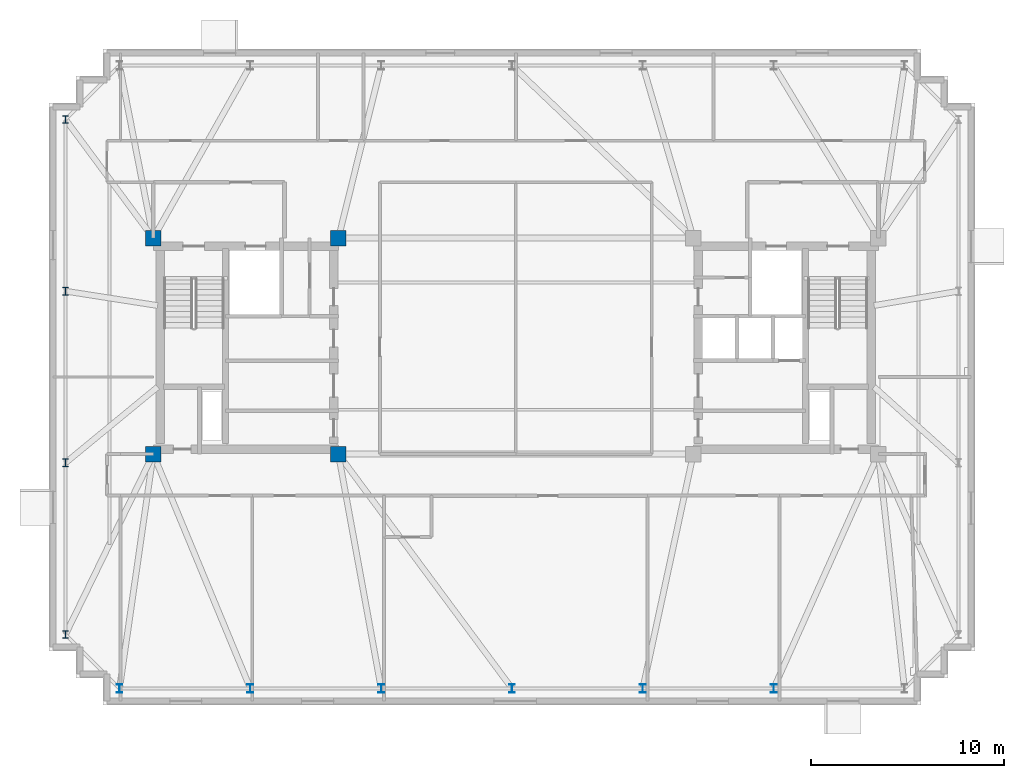
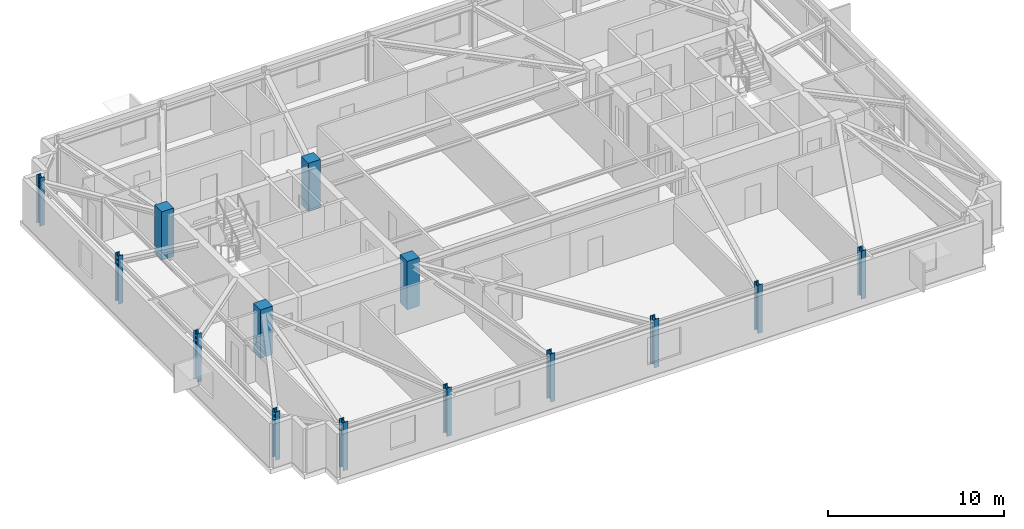
# One storey, part 1 of 10: 14 columns.
"""IFC4 building model written with IfcOpenShell, lengths in metres."""

from ifc_helpers import new_model, si_unit, direction, frame, origin, origin_2d, place, context, subcontext, project, spatial, rectangle, i_section, extrude, material, material_profile, profile_set, type_object, element, save


model = new_model("IFC4")

# Units and contexts
model_context = context("Model", 3, precision=1e-05, world=origin(), true_north=direction((0.0, 1.0)))
body_context = subcontext(model_context, "Body", "Model", "MODEL_VIEW")
ifc_project = project(units=[si_unit("LENGTHUNIT", "METRE"), si_unit("AREAUNIT", "SQUARE_METRE"), si_unit("VOLUMEUNIT", "CUBIC_METRE"), si_unit("PLANEANGLEUNIT", "RADIAN"), si_unit("MASSUNIT", "GRAM", prefix="KILO")], contexts=[model_context])

# Site, building, storey
site_placement = place(None, origin())
site = spatial("IfcSite", under=ifc_project, at=site_placement, CompositionType="ELEMENT")
building_placement = place(site_placement, origin())
building = spatial("IfcBuilding", under=site, at=building_placement, Name="Qobustan Lattice House", CompositionType="ELEMENT")
storey_placement = place(building_placement, frame((0.0, 0.0, 235.0)))
storey = spatial("IfcBuildingStorey", under=building, at=storey_placement, Name="L66", CompositionType="ELEMENT", Elevation=235.0)

# Columns
ifc_material_1 = material(Name="Concrete C50/60", Category="concrete")
ifc_material_profile_1 = material_profile(ifc_material_1, rectangle(XDim=0.800048828125, YDim=0.800048828125, at=origin_2d()), Name="RC800x800")
ifc_profile_set_1 = profile_set([ifc_material_profile_1], Name="Concrete C50/60")
column_type_1 = type_object("IfcColumnType", Name="COL-RC-800", PredefinedType="COLUMN", material=ifc_profile_set_1)
for number, where, z_axis, x_axis, name in (
    (1, (-18.800048828125, -5.60009765625, 0.0), (0.0, 0.0, 1.0), (1.0, 0.0, 0.0), "L66 core mega-column CW-SW"),
    (2, (-18.800048828125, 5.60009765625, 0.0), (0.0, 0.0, 1.0), (1.0, 0.0, 0.0), "L66 core mega-column CW-NW"),
    (3, (-9.199951171875, -5.60009765625, 0.0), (0.0, 0.0, 1.0), (1.0, 0.0, 0.0), "L66 core mega-column CW-SE"),
    (4, (-9.199951171875, 5.60009765625, 0.0), (0.0, 0.0, 1.0), (1.0, 0.0, 0.0), "L66 core mega-column CW-NE"),
):
    element("IfcColumn", number, at=place(storey_placement, frame(where, z_axis=z_axis, x_axis=x_axis)), inside=storey, type_object=column_type_1, Name=name, PredefinedType="COLUMN", context=body_context, shape_type="SweptSolid", body=[
        extrude(rectangle(XDim=0.800048828125, YDim=0.800048828125, at=origin_2d()), origin(), (0.0, 0.0, 1.0), 3.35009765625),
    ])
ifc_material_2 = material(Name="Steel S355", Category="steel")
ifc_material_profile_2 = material_profile(ifc_material_2, i_section(OverallWidth=0.300048828125, OverallDepth=0.39990234375, WebThickness=0.013427734375, FlangeThickness=0.02392578125, FilletRadius=0.027099609375, at=origin_2d()), Name="HEB400")
ifc_profile_set_2 = profile_set([ifc_material_profile_2], Name="Steel S355")
column_type_2 = type_object("IfcColumnType", Name="COL-ST-HEB400", PredefinedType="COLUMN", material=ifc_profile_set_2)
for number, where, z_axis, x_axis, name in (
    (5, (-23.35009765625, 11.75, 0.0), (0.0, 0.0, 1.0), (1.0, 0.0, 0.0), "L66 B5 perimeter column W1"),
    (6, (-23.35009765625, 2.85009765625, 0.0), (0.0, 0.0, 1.0), (1.0, 0.0, 0.0), "L66 B5 perimeter column W2"),
    (7, (-23.35009765625, -6.050048828125, 0.0), (0.0, 0.0, 1.0), (1.0, 0.0, 0.0), "L66 B5 perimeter column W3"),
    (8, (-23.35009765625, -14.949951171875, 0.0), (0.0, 0.0, 1.0), (1.0, 0.0, 0.0), "L66 B5 perimeter column W4"),
):
    element("IfcColumn", number, at=place(storey_placement, frame(where, z_axis=z_axis, x_axis=x_axis)), inside=storey, type_object=column_type_2, Name=name, PredefinedType="COLUMN", context=body_context, shape_type="SweptSolid", body=[
        extrude(i_section(OverallWidth=0.300048828125, OverallDepth=0.39990234375, WebThickness=0.013427734375, FlangeThickness=0.02392578125, FilletRadius=0.027099609375, at=origin_2d()), origin(), (0.0, 0.0, 1.0), 3.35009765625),
    ])
ifc_material_3 = material(Name="Steel S355", Category="steel")
ifc_material_profile_3 = material_profile(ifc_material_3, i_section(OverallWidth=0.300048828125, OverallDepth=0.449951171875, WebThickness=0.013916015625, FlangeThickness=0.02587890625, FilletRadius=0.027099609375, at=origin_2d()), Name="HEB450")
ifc_profile_set_3 = profile_set([ifc_material_profile_3], Name="Steel S355")
column_type_3 = type_object("IfcColumnType", Name="COL-ST-HEB450", PredefinedType="COLUMN", material=ifc_profile_set_3)
for number, where, z_axis, x_axis, name in (
    (9, (-20.550048828125, -17.75, 0.0), (0.0, 0.0, 1.0), (1.0, 0.0, 0.0), "L66 B5 perimeter column S1"),
    (10, (-13.7666015625, -17.75, 0.0), (0.0, 0.0, 1.0), (1.0, 0.0, 0.0), "L66 B5 perimeter column S2"),
    (11, (-6.9833984375, -17.75, 0.0), (0.0, 0.0, 1.0), (1.0, 0.0, 0.0), "L66 B5 perimeter column S3"),
    (12, (-0.199951171875, -17.75, 0.0), (0.0, 0.0, 1.0), (1.0, 0.0, 0.0), "L66 B5 perimeter column S4"),
    (13, (6.583251953125, -17.75, 0.0), (0.0, 0.0, 1.0), (1.0, 0.0, 0.0), "L66 B5 perimeter column S5"),
    (14, (13.36669921875, -17.75, 0.0), (0.0, 0.0, 1.0), (1.0, 0.0, 0.0), "L66 B5 perimeter column S6"),
):
    element("IfcColumn", number, at=place(storey_placement, frame(where, z_axis=z_axis, x_axis=x_axis)), inside=storey, type_object=column_type_3, Name=name, PredefinedType="COLUMN", context=body_context, shape_type="SweptSolid", body=[
        extrude(i_section(OverallWidth=0.300048828125, OverallDepth=0.449951171875, WebThickness=0.013916015625, FlangeThickness=0.02587890625, FilletRadius=0.027099609375, at=origin_2d()), origin(), (0.0, 0.0, 1.0), 3.35009765625),
    ])

save(model, "model.ifc")
